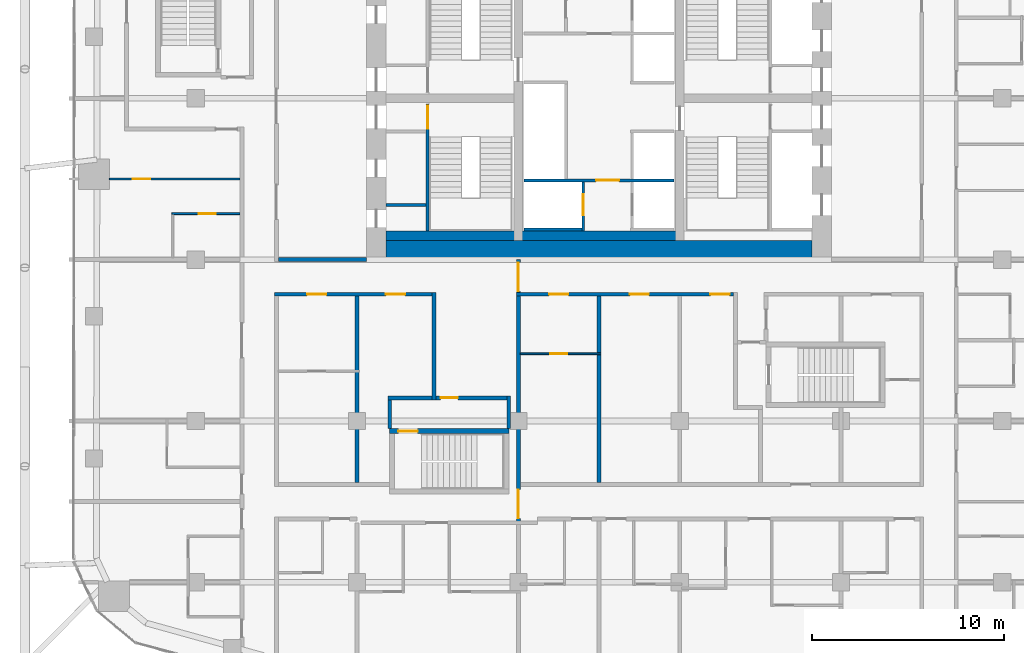
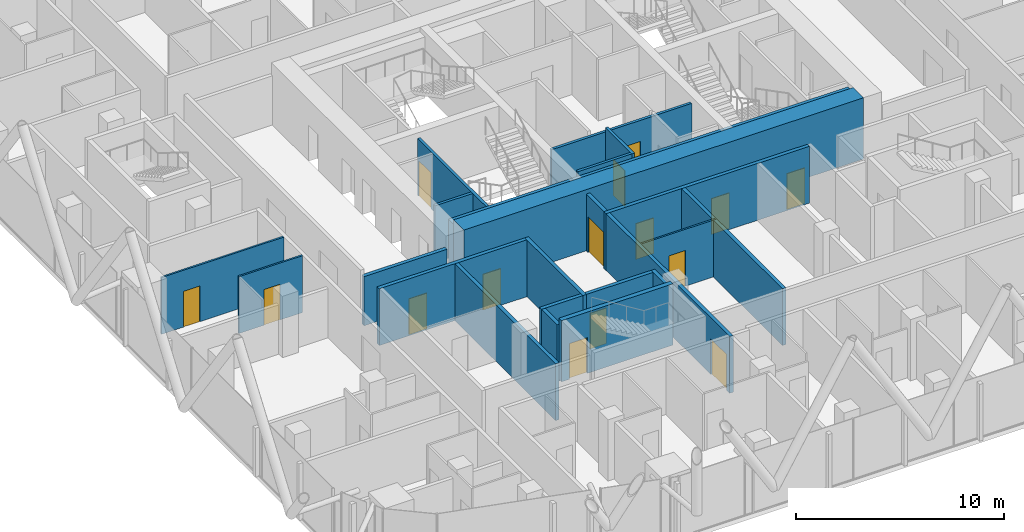
# One storey, part 28 of 36: 22 walls, 15 doors, 15 openings.
"""IFC4 building model written with IfcOpenShell, lengths in metres."""

from ifc_helpers import new_model, si_unit, direction, frame, frame_2d, origin, place, context, subcontext, project, spatial, rectangle, extrude, material, layer, layer_set, type_object, element, fill, save


model = new_model("IFC4")

# Units and contexts
model_context = context("Model", 3, precision=1e-05, world=origin(), true_north=direction((0.0, 1.0)))
body_context = subcontext(model_context, "Body", "Model", "MODEL_VIEW")
ifc_project = project(units=[si_unit("LENGTHUNIT", "METRE"), si_unit("AREAUNIT", "SQUARE_METRE"), si_unit("VOLUMEUNIT", "CUBIC_METRE"), si_unit("PLANEANGLEUNIT", "RADIAN"), si_unit("MASSUNIT", "GRAM", prefix="KILO")], contexts=[model_context])

# Site, building, storey
site_placement = place(None, origin())
site = spatial("IfcSite", under=ifc_project, at=site_placement, CompositionType="ELEMENT")
building_placement = place(site_placement, origin())
building = spatial("IfcBuilding", under=site, at=building_placement, Name="Marenta Gate Hotel Tower", CompositionType="ELEMENT")
storey_placement = place(building_placement, frame((0.0, 0.0, 130.10009765625)))
storey = spatial("IfcBuildingStorey", under=building, at=storey_placement, Name="L29", CompositionType="ELEMENT", Elevation=130.10009765625)

# Wall, openings, doors
ifc_material_1 = material(Name="Concrete blockwork", Category="masonry")
ifc_layer_1 = layer(ifc_material_1, 0.199951171875)
ifc_layer_set_1 = layer_set([ifc_layer_1], Name="Concrete blockwork")
wall_type_1 = type_object("IfcWallType", Name="Compartment wall 200 REI 180", PredefinedType="PARTITIONING", material=ifc_layer_set_1)
wall_1_placement = place(storey_placement, frame((-4.199951171875, -13.800048828125, 0.0), z_axis=(0.0, 0.0, 1.0), x_axis=(0.0, 1.0, 0.0)))
wall_1 = element("IfcWall", 1, at=wall_1_placement, inside=storey, type_object=wall_type_1, Name="L29-PTN-W081", PredefinedType="PARTITIONING", context=body_context, shape_type="SweptSolid", body=[
    extrude(rectangle(XDim=13.800048828125, YDim=0.199951171875, at=frame_2d((6.89990234375, 0.0))), origin(), (0.0, 0.0, 1.0), 3.33984375),
])
opening_1_placement = place(wall_1_placement, frame((12.14990234375, 0.0, 0.0)))
opening_1 = element("IfcOpeningElement", 2, at=opening_1_placement, cuts=wall_1, Name="Opening G10-FD2", PredefinedType="OPENING", context=body_context, shape_type="SweptSolid", body=[
    extrude(rectangle(XDim=1.5, YDim=2.10009765625, at=frame_2d((0.75, 1.050048828125))), frame((0.0, 0.10009765625, 0.0), z_axis=(0.0, -1.0, 0.0), x_axis=(1.0, 0.0, 0.0)), (0.0, 0.0, 1.0), 0.199951171875),
])
opening_2_placement = place(wall_1_placement, frame((0.324951171875, 0.0, 0.0)))
opening_2 = element("IfcOpeningElement", 3, at=opening_2_placement, cuts=wall_1, Name="Opening G10-FD3", PredefinedType="OPENING", context=body_context, shape_type="SweptSolid", body=[
    extrude(rectangle(XDim=1.5, YDim=2.10009765625, at=frame_2d((0.75, 1.050048828125))), frame((0.0, 0.10009765625, 0.0), z_axis=(0.0, -1.0, 0.0), x_axis=(1.0, 0.0, 0.0)), (0.0, 0.0, 1.0), 0.199951171875),
])
ifc_material_2 = material(Name="Hollow steel door set", Category="steel")
door_type_1 = type_object("IfcDoorType", Name="Compartment fire door 1500x2100 EI 60", OperationType="DOUBLE_DOOR_DOUBLE_SWING", PredefinedType="DOOR", material=ifc_material_2)
door_1_placement = place(opening_1_placement, origin())
door_1 = element("IfcDoor", 4, at=door_1_placement, inside=storey, type_object=door_type_1, Name="L29-PD-FD02", OperationType="DOUBLE_DOOR_DOUBLE_SWING", OverallHeight=2.10009765625, OverallWidth=1.5, PredefinedType="DOOR", context=body_context, shape_type="SweptSolid", body=[
    extrude(rectangle(XDim=1.5, YDim=2.10009765625, at=frame_2d((0.75, 1.050048828125))), frame((0.0, 0.02490234375, 0.0), z_axis=(0.0, -1.0, 0.0), x_axis=(1.0, 0.0, 0.0)), (0.0, 0.0, 1.0), 0.050048828125),
])
fill(opening_1, door_1)
door_2_placement = place(opening_2_placement, origin())
door_2 = element("IfcDoor", 5, at=door_2_placement, inside=storey, type_object=door_type_1, Name="L29-PD-FD03", OperationType="DOUBLE_DOOR_DOUBLE_SWING", OverallHeight=2.10009765625, OverallWidth=1.5, PredefinedType="DOOR", context=body_context, shape_type="SweptSolid", body=[
    extrude(rectangle(XDim=1.5, YDim=2.10009765625, at=frame_2d((0.75, 1.050048828125))), frame((0.0, 0.02490234375, 0.0), z_axis=(0.0, -1.0, 0.0), x_axis=(1.0, 0.0, 0.0)), (0.0, 0.0, 1.0), 0.050048828125),
])
fill(opening_2, door_2)

# Walls
ifc_material_3 = material(Name="Concrete blockwork", Category="masonry")
ifc_layer_2 = layer(ifc_material_3, 0.199951171875)
ifc_layer_set_2 = layer_set([ifc_layer_2], Name="Concrete blockwork")
wall_type_2 = type_object("IfcWallType", Name="Core boundary wall 200 REI 180", PredefinedType="PARTITIONING", material=ifc_layer_set_2)
wall_2_placement = place(storey_placement, frame((-16.699951171875, 0.0, 0.0), z_axis=(0.0, 0.0, 1.0), x_axis=(1.0, 0.0, 0.0)))
element("IfcWall", 6, at=wall_2_placement, inside=storey, type_object=wall_type_2, Name="L29-CP-EW-WS", PredefinedType="PARTITIONING", context=body_context, shape_type="SweptSolid", body=[
    extrude(rectangle(XDim=4.599853515625, YDim=0.199951171875, at=frame_2d((2.2998046875, 0.0))), origin(), (0.0, 0.0, 1.0), 2.889892578125),
])
ifc_material_4 = material(Name="Concrete C40", Category="concrete")
ifc_layer_3 = layer(ifc_material_4, 0.5)
ifc_layer_set_3 = layer_set([ifc_layer_3], Name="Concrete C40")
wall_type_3 = type_object("IfcWallType", Name="Core lining wall 500 REI 180", PredefinedType="PARTITIONING", material=ifc_layer_set_3)
wall_3_placement = place(storey_placement, frame((-11.10009765625, 1.25, 0.0), z_axis=(0.0, 0.0, 1.0), x_axis=(1.0, 0.0, 0.0)))
element("IfcWall", 7, at=wall_3_placement, inside=storey, type_object=wall_type_3, Name="L29-CP-LN-S", PredefinedType="PARTITIONING", context=body_context, shape_type="SweptSolid", body=[
    extrude(rectangle(XDim=22.2001953125, YDim=0.5, at=frame_2d((11.10009765625, 0.0))), origin(), (0.0, 0.0, 1.0), 3.33984375),
])

# Wall, opening, door
ifc_material_5 = material(Name="Concrete blockwork", Category="masonry")
ifc_layer_4 = layer(ifc_material_5, 0.14990234375)
ifc_layer_set_4 = layer_set([ifc_layer_4], Name="Concrete blockwork")
wall_type_4 = type_object("IfcWallType", Name="Core lobby partition 150 REI 180", PredefinedType="PARTITIONING", material=ifc_layer_set_4)
wall_4_placement = place(storey_placement, frame((-3.89990234375, 4.125, 0.0), z_axis=(0.0, 0.0, 1.0), x_axis=(1.0, 0.0, 0.0)))
wall_4 = element("IfcWall", 8, at=wall_4_placement, inside=storey, type_object=wall_type_4, Name="L29-CP-CW-S", PredefinedType="PARTITIONING", context=body_context, shape_type="SweptSolid", body=[
    extrude(rectangle(XDim=7.7998046875, YDim=0.14990234375, at=frame_2d((3.89990234375, 0.0))), origin(), (0.0, 0.0, 1.0), 3.33984375),
])
opening_3_placement = place(wall_4_placement, frame((3.75, 0.0, 0.0)))
opening_3 = element("IfcOpeningElement", 9, at=opening_3_placement, cuts=wall_4, Name="Opening FD-FFS", PredefinedType="OPENING", context=body_context, shape_type="SweptSolid", body=[
    extrude(rectangle(XDim=1.199951171875, YDim=2.10009765625, at=frame_2d((0.60009765625, 1.050048828125))), frame((0.0, 0.074951171875, 0.0), z_axis=(0.0, -1.0, 0.0), x_axis=(1.0, 0.0, 0.0)), (0.0, 0.0, 1.0), 0.14990234375),
])
ifc_material_6 = material(Name="Steel", Category="steel")
door_type_2 = type_object("IfcDoorType", Name="Core lobby door 1200x2100 FD60", OperationType="SINGLE_SWING_LEFT", PredefinedType="DOOR", material=ifc_material_6)
door_3_placement = place(opening_3_placement, origin())
door_3 = element("IfcDoor", 10, at=door_3_placement, inside=storey, type_object=door_type_2, Name="FD-FFS", OperationType="SINGLE_SWING_LEFT", OverallHeight=2.10009765625, OverallWidth=1.199951171875, PredefinedType="DOOR", context=body_context, shape_type="SweptSolid", body=[
    extrude(rectangle(XDim=1.199951171875, YDim=2.10009765625, at=frame_2d((0.60009765625, 1.050048828125))), frame((0.0, 0.02490234375, 0.0), z_axis=(0.0, -1.0, 0.0), x_axis=(1.0, 0.0, 0.0)), (0.0, 0.0, 1.0), 0.050048828125),
])
fill(opening_3, door_3)

# Wall
ifc_material_7 = material(Name="Concrete blockwork", Category="masonry")
ifc_layer_5 = layer(ifc_material_7, 0.14990234375)
ifc_layer_set_5 = layer_set([ifc_layer_5], Name="Concrete blockwork")
wall_type_5 = type_object("IfcWallType", Name="Core room partition 150 REI 180", PredefinedType="PARTITIONING", material=ifc_layer_set_5)
wall_5_placement = place(storey_placement, frame((-11.10009765625, 2.85009765625, 0.0), z_axis=(0.0, 0.0, 1.0), x_axis=(1.0, 0.0, 0.0)))
element("IfcWall", 11, at=wall_5_placement, inside=storey, type_object=wall_type_5, Name="L29-CP-RW-WS-1", PredefinedType="PARTITIONING", context=body_context, shape_type="SweptSolid", body=[
    extrude(rectangle(XDim=2.10009765625, YDim=0.14990234375, at=frame_2d((1.050048828125, 0.0))), origin(), (0.0, 0.0, 1.0), 3.33984375),
])

# Wall, opening, door
ifc_material_8 = material(Name="Concrete C40", Category="concrete")
ifc_layer_6 = layer(ifc_material_8, 0.14990234375)
ifc_layer_set_6 = layer_set([ifc_layer_6], Name="Concrete C40")
wall_type_6 = type_object("IfcWallType", Name="Core shaft wall 150 REI 180", PredefinedType="SHEAR", material=ifc_layer_set_6)
wall_6_placement = place(storey_placement, frame((-0.824951171875, 1.5, 0.0), z_axis=(0.0, 0.0, 1.0), x_axis=(0.0, 1.0, 0.0)))
wall_6 = element("IfcWall", 12, at=wall_6_placement, inside=storey, type_object=wall_type_6, Name="L29-SHF-CW-W-ff", PredefinedType="SHEAR", context=body_context, shape_type="SweptSolid", body=[
    extrude(rectangle(XDim=2.550048828125, YDim=0.14990234375, at=frame_2d((1.27490234375, 0.0))), origin(), (0.0, 0.0, 1.0), 3.599853515625),
])
opening_4_placement = place(wall_6_placement, frame((0.800048828125, 0.0, 0.0)))
opening_4 = element("IfcOpeningElement", 13, at=opening_4_placement, cuts=wall_6, Name="Opening LD-FF1", PredefinedType="OPENING", context=body_context, shape_type="SweptSolid", body=[
    extrude(rectangle(XDim=1.10009765625, YDim=2.10009765625, at=frame_2d((0.550048828125, 1.050048828125))), frame((0.0, 0.074951171875, 0.0), z_axis=(0.0, -1.0, 0.0), x_axis=(1.0, 0.0, 0.0)), (0.0, 0.0, 1.0), 0.14990234375),
])
ifc_material_9 = material(Name="Steel", Category="steel")
door_type_3 = type_object("IfcDoorType", Name="Core lift landing door 1100x2100 E 60", OperationType="SLIDING_TO_LEFT", PredefinedType="DOOR", material=ifc_material_9)
door_4_placement = place(opening_4_placement, origin())
door_4 = element("IfcDoor", 14, at=door_4_placement, inside=storey, type_object=door_type_3, Name="LD-FF1", OperationType="SLIDING_TO_LEFT", OverallHeight=2.10009765625, OverallWidth=1.10009765625, PredefinedType="DOOR", context=body_context, shape_type="SweptSolid", body=[
    extrude(rectangle(XDim=1.10009765625, YDim=2.10009765625, at=frame_2d((0.550048828125, 1.050048828125))), frame((0.0, 0.02490234375, 0.0), z_axis=(0.0, -1.0, 0.0), x_axis=(1.0, 0.0, 0.0)), (0.0, 0.0, 1.0), 0.050048828125),
])
fill(opening_4, door_4)

# Wall
wall_7_placement = place(storey_placement, frame((-3.89990234375, 1.574951171875, 0.0), z_axis=(0.0, 0.0, 1.0), x_axis=(1.0, 0.0, 0.0)))
element("IfcWall", 15, at=wall_7_placement, inside=storey, type_object=wall_type_6, Name="L29-SHF-CW-W-ffs", PredefinedType="SHEAR", context=body_context, shape_type="SweptSolid", body=[
    extrude(rectangle(XDim=3.0, YDim=0.14990234375, at=frame_2d((1.5, 0.0))), origin(), (0.0, 0.0, 1.0), 3.599853515625),
])

# Wall, opening, door
ifc_material_10 = material(Name="Concrete C40", Category="concrete")
ifc_layer_7 = layer(ifc_material_10, 0.14990234375)
ifc_layer_set_7 = layer_set([ifc_layer_7], Name="Concrete C40")
wall_type_7 = type_object("IfcWallType", Name="Core stair enclosure wall 150 REI 180", PredefinedType="SHEAR", material=ifc_layer_set_7)
wall_8_placement = place(storey_placement, frame((-8.925048828125, 1.5, 0.0), z_axis=(0.0, 0.0, 1.0), x_axis=(0.0, 1.0, 0.0)))
wall_8 = element("IfcWall", 16, at=wall_8_placement, inside=storey, type_object=wall_type_7, Name="L29-SHF-SW-WS-3", PredefinedType="SHEAR", context=body_context, shape_type="SweptSolid", body=[
    extrude(rectangle(XDim=6.60009765625, YDim=0.14990234375, at=frame_2d((3.300048828125, 0.0))), origin(), (0.0, 0.0, 1.0), 3.33984375),
])
opening_5_placement = place(wall_8_placement, frame((5.324951171875, 0.0, 0.0)))
opening_5 = element("IfcOpeningElement", 17, at=opening_5_placement, cuts=wall_8, Name="Opening SD-WS", PredefinedType="OPENING", context=body_context, shape_type="SweptSolid", body=[
    extrude(rectangle(XDim=1.199951171875, YDim=2.10009765625, at=frame_2d((0.60009765625, 1.050048828125))), frame((0.0, 0.074951171875, 0.0), z_axis=(0.0, -1.0, 0.0), x_axis=(1.0, 0.0, 0.0)), (0.0, 0.0, 1.0), 0.14990234375),
])
ifc_material_11 = material(Name="Steel", Category="steel")
door_type_4 = type_object("IfcDoorType", Name="Core stair door 1200x2100 FD60", OperationType="SINGLE_SWING_LEFT", PredefinedType="DOOR", material=ifc_material_11)
door_5_placement = place(opening_5_placement, origin())
door_5 = element("IfcDoor", 18, at=door_5_placement, inside=storey, type_object=door_type_4, Name="SD-WS", OperationType="SINGLE_SWING_LEFT", OverallHeight=2.10009765625, OverallWidth=1.199951171875, PredefinedType="DOOR", context=body_context, shape_type="SweptSolid", body=[
    extrude(rectangle(XDim=1.199951171875, YDim=2.10009765625, at=frame_2d((0.60009765625, 1.050048828125))), frame((0.0, 0.02490234375, 0.0), z_axis=(0.0, -1.0, 0.0), x_axis=(1.0, 0.0, 0.0)), (0.0, 0.0, 1.0), 0.050048828125),
])
fill(opening_5, door_5)

# Wall
ifc_material_12 = material(Name="Concrete C70", Category="concrete")
ifc_layer_8 = layer(ifc_material_12, 1.0)
ifc_layer_set_8 = layer_set([ifc_layer_8], Name="Concrete C70")
wall_type_8 = type_object("IfcWallType", Name="Core wall 1000 C70", PredefinedType="SHEAR", material=ifc_layer_set_8)
wall_9_placement = place(storey_placement, frame((-11.10009765625, 0.5, 0.0), z_axis=(0.0, 0.0, 1.0), x_axis=(1.0, 0.0, 0.0)))
element("IfcWall", 19, at=wall_9_placement, inside=storey, type_object=wall_type_8, Name="L29-CORE-S", PredefinedType="SHEAR", context=body_context, shape_type="SweptSolid", body=[
    extrude(rectangle(XDim=22.2001953125, YDim=1.0, at=frame_2d((11.10009765625, 0.0))), origin(), (0.0, 0.0, 1.0), 3.599853515625),
])

# Wall, opening, door
ifc_material_13 = material(Name="Concrete C40", Category="concrete")
ifc_layer_9 = layer(ifc_material_13, 0.25)
ifc_layer_set_9 = layer_set([ifc_layer_9], Name="Concrete C40")
wall_type_9 = type_object("IfcWallType", Name="Remote stair enclosure wall 250 REI 180", PredefinedType="SHEAR", material=ifc_layer_set_9)
wall_10_placement = place(storey_placement, frame((-10.89990234375, -8.925048828125, 0.099853515625), z_axis=(0.0, 0.0, 1.0), x_axis=(1.0, 0.0, 0.0)))
wall_10 = element("IfcWall", 20, at=wall_10_placement, inside=storey, type_object=wall_type_9, Name="L29-RS-Z2-1-W2", PredefinedType="SHEAR", context=body_context, shape_type="SweptSolid", body=[
    extrude(rectangle(XDim=6.199951171875, YDim=0.25, at=frame_2d((3.10009765625, 0.0))), origin(), (0.0, 0.0, 1.0), 3.60009765625),
])
opening_6_placement = place(wall_10_placement, frame((0.449951171875, 0.0, 0.0)))
opening_6 = element("IfcOpeningElement", 21, at=opening_6_placement, cuts=wall_10, Name="Opening VD", PredefinedType="OPENING", context=body_context, shape_type="SweptSolid", body=[
    extrude(rectangle(XDim=1.0, YDim=2.10009765625, at=frame_2d((0.5, 1.050048828125))), frame((0.0, 0.125, 0.0), z_axis=(0.0, -1.0, 0.0), x_axis=(1.0, 0.0, 0.0)), (0.0, 0.0, 1.0), 0.25),
])
ifc_material_14 = material(Name="Steel", Category="steel")
door_type_5 = type_object("IfcDoorType", Name="Stair vestibule door 1000x2100 FD60", OperationType="SINGLE_SWING_LEFT", PredefinedType="DOOR", material=ifc_material_14)
door_6_placement = place(opening_6_placement, origin())
door_6 = element("IfcDoor", 22, at=door_6_placement, inside=storey, type_object=door_type_5, Name="VD", OperationType="SINGLE_SWING_LEFT", OverallHeight=2.10009765625, OverallWidth=1.0, PredefinedType="DOOR", context=body_context, shape_type="SweptSolid", body=[
    extrude(rectangle(XDim=1.0, YDim=2.10009765625, at=frame_2d((0.5, 1.050048828125))), frame((0.0, 0.02490234375, 0.0), z_axis=(0.0, -1.0, 0.0), x_axis=(1.0, 0.0, 0.0)), (0.0, 0.0, 1.0), 0.050048828125),
])
fill(opening_6, door_6)

# Wall, openings, doors
ifc_material_15 = material(Name="Concrete blockwork", Category="masonry")
ifc_layer_10 = layer(ifc_material_15, 0.199951171875)
ifc_layer_set_10 = layer_set([ifc_layer_10], Name="Concrete blockwork")
wall_type_10 = type_object("IfcWallType", Name="Room corridor wall 200 EI 120", PredefinedType="PARTITIONING", material=ifc_layer_set_10)
wall_11_placement = place(storey_placement, frame((-4.300048828125, -1.800048828125, 0.0), z_axis=(0.0, 0.0, 1.0), x_axis=(1.0, 0.0, 0.0)))
wall_11 = element("IfcWall", 23, at=wall_11_placement, inside=storey, type_object=wall_type_10, Name="L29-PTN-W068", PredefinedType="PARTITIONING", context=body_context, shape_type="SweptSolid", body=[
    extrude(rectangle(XDim=11.300048828125, YDim=0.199951171875, at=frame_2d((5.64990234375, 0.0))), origin(), (0.0, 0.0, 1.0), 3.33984375),
])
opening_7_placement = place(wall_11_placement, frame((1.699951171875, 0.0, 0.0)))
opening_7 = element("IfcOpeningElement", 24, at=opening_7_placement, cuts=wall_11, Name="Opening G10-04", PredefinedType="OPENING", context=body_context, shape_type="SweptSolid", body=[
    extrude(rectangle(XDim=1.0, YDim=2.10009765625, at=frame_2d((0.5, 1.050048828125))), frame((0.0, 0.10009765625, 0.0), z_axis=(0.0, -1.0, 0.0), x_axis=(1.0, 0.0, 0.0)), (0.0, 0.0, 1.0), 0.199951171875),
])
opening_8_placement = place(wall_11_placement, frame((5.89990234375, 0.0, 0.0)))
opening_8 = element("IfcOpeningElement", 25, at=opening_8_placement, cuts=wall_11, Name="Opening G10-06", PredefinedType="OPENING", context=body_context, shape_type="SweptSolid", body=[
    extrude(rectangle(XDim=1.0, YDim=2.10009765625, at=frame_2d((0.5, 1.050048828125))), frame((0.0, 0.10009765625, 0.0), z_axis=(0.0, -1.0, 0.0), x_axis=(1.0, 0.0, 0.0)), (0.0, 0.0, 1.0), 0.199951171875),
])
opening_9_placement = place(wall_11_placement, frame((10.10009765625, 0.0, 0.0)))
opening_9 = element("IfcOpeningElement", 26, at=opening_9_placement, cuts=wall_11, Name="Opening G10-07", PredefinedType="OPENING", context=body_context, shape_type="SweptSolid", body=[
    extrude(rectangle(XDim=1.0, YDim=2.10009765625, at=frame_2d((0.5, 1.050048828125))), frame((0.0, 0.10009765625, 0.0), z_axis=(0.0, -1.0, 0.0), x_axis=(1.0, 0.0, 0.0)), (0.0, 0.0, 1.0), 0.199951171875),
])
ifc_material_16 = material(Name="Timber door leaf", Category="wood")
door_type_6 = type_object("IfcDoorType", Name="Room amenity door 1000x2100 EI 60", OperationType="NOTDEFINED", PredefinedType="DOOR", material=ifc_material_16)
door_7_placement = place(opening_8_placement, origin())
door_7 = element("IfcDoor", 27, at=door_7_placement, inside=storey, type_object=door_type_6, Name="L29-PD-D006", OperationType="SINGLE_SWING_RIGHT", OverallHeight=2.10009765625, OverallWidth=1.0, PredefinedType="DOOR", context=body_context, shape_type="SweptSolid", body=[
    extrude(rectangle(XDim=1.0, YDim=2.10009765625, at=frame_2d((0.5, 1.050048828125))), frame((0.0, 0.02490234375, 0.0), z_axis=(0.0, -1.0, 0.0), x_axis=(1.0, 0.0, 0.0)), (0.0, 0.0, 1.0), 0.050048828125),
])
fill(opening_8, door_7)
door_8_placement = place(opening_9_placement, origin())
door_8 = element("IfcDoor", 28, at=door_8_placement, inside=storey, type_object=door_type_6, Name="L29-PD-D007", OperationType="SINGLE_SWING_LEFT", OverallHeight=2.10009765625, OverallWidth=1.0, PredefinedType="DOOR", context=body_context, shape_type="SweptSolid", body=[
    extrude(rectangle(XDim=1.0, YDim=2.10009765625, at=frame_2d((0.5, 1.050048828125))), frame((0.0, 0.02490234375, 0.0), z_axis=(0.0, -1.0, 0.0), x_axis=(1.0, 0.0, 0.0)), (0.0, 0.0, 1.0), 0.050048828125),
])
fill(opening_9, door_8)
ifc_material_17 = material(Name="Hollow steel door set", Category="steel")
door_type_7 = type_object("IfcDoorType", Name="Room service door 1000x2100 EI 60", OperationType="NOTDEFINED", PredefinedType="DOOR", material=ifc_material_17)
door_9_placement = place(opening_7_placement, origin())
door_9 = element("IfcDoor", 29, at=door_9_placement, inside=storey, type_object=door_type_7, Name="L29-PD-D004", OperationType="SINGLE_SWING_RIGHT", OverallHeight=2.10009765625, OverallWidth=1.0, PredefinedType="DOOR", context=body_context, shape_type="SweptSolid", body=[
    extrude(rectangle(XDim=1.0, YDim=2.10009765625, at=frame_2d((0.5, 1.050048828125))), frame((0.0, 0.02490234375, 0.0), z_axis=(0.0, -1.0, 0.0), x_axis=(1.0, 0.0, 0.0)), (0.0, 0.0, 1.0), 0.050048828125),
])
fill(opening_7, door_9)

ifc_material_18 = material(Name="Gypsum board on steel stud", Category="steel")
ifc_layer_11 = layer(ifc_material_18, 0.199951171875)
ifc_layer_set_11 = layer_set([ifc_layer_11], Name="Gypsum board on steel stud")
wall_type_11 = type_object("IfcWallType", Name="Room corridor wall 200 EI 60", PredefinedType="PARTITIONING", material=ifc_layer_set_11)
wall_12_placement = place(storey_placement, frame((-16.89990234375, -1.800048828125, 0.0), z_axis=(0.0, 0.0, 1.0), x_axis=(1.0, 0.0, 0.0)))
wall_12 = element("IfcWall", 30, at=wall_12_placement, inside=storey, type_object=wall_type_11, Name="L29-PTN-W067", PredefinedType="PARTITIONING", context=body_context, shape_type="SweptSolid", body=[
    extrude(rectangle(XDim=8.199951171875, YDim=0.199951171875, at=frame_2d((4.10009765625, 0.0))), origin(), (0.0, 0.0, 1.0), 3.33984375),
])
opening_10_placement = place(wall_12_placement, frame((1.699951171875, 0.0, 0.0)))
opening_10 = element("IfcOpeningElement", 31, at=opening_10_placement, cuts=wall_12, Name="Opening G10-01", PredefinedType="OPENING", context=body_context, shape_type="SweptSolid", body=[
    extrude(rectangle(XDim=1.0, YDim=2.10009765625, at=frame_2d((0.5, 1.050048828125))), frame((0.0, 0.10009765625, 0.0), z_axis=(0.0, -1.0, 0.0), x_axis=(1.0, 0.0, 0.0)), (0.0, 0.0, 1.0), 0.199951171875),
])
opening_11_placement = place(wall_12_placement, frame((5.800048828125, 0.0, 0.0)))
opening_11 = element("IfcOpeningElement", 32, at=opening_11_placement, cuts=wall_12, Name="Opening G10-03", PredefinedType="OPENING", context=body_context, shape_type="SweptSolid", body=[
    extrude(rectangle(XDim=1.0, YDim=2.10009765625, at=frame_2d((0.5, 1.050048828125))), frame((0.0, 0.10009765625, 0.0), z_axis=(0.0, -1.0, 0.0), x_axis=(1.0, 0.0, 0.0)), (0.0, 0.0, 1.0), 0.199951171875),
])
ifc_material_19 = material(Name="Timber door leaf", Category="wood")
door_type_8 = type_object("IfcDoorType", Name="Room amenity door 1000x2100 EI 30", OperationType="NOTDEFINED", PredefinedType="DOOR", material=ifc_material_19)
door_10_placement = place(opening_11_placement, origin())
door_10 = element("IfcDoor", 33, at=door_10_placement, inside=storey, type_object=door_type_8, Name="L29-PD-D003", OperationType="SINGLE_SWING_LEFT", OverallHeight=2.10009765625, OverallWidth=1.0, PredefinedType="DOOR", context=body_context, shape_type="SweptSolid", body=[
    extrude(rectangle(XDim=1.0, YDim=2.10009765625, at=frame_2d((0.5, 1.050048828125))), frame((0.0, 0.02490234375, 0.0), z_axis=(0.0, -1.0, 0.0), x_axis=(1.0, 0.0, 0.0)), (0.0, 0.0, 1.0), 0.050048828125),
])
fill(opening_11, door_10)
ifc_material_20 = material(Name="Hollow steel door set", Category="steel")
door_type_9 = type_object("IfcDoorType", Name="Room service door 1000x2100 EI 30", OperationType="NOTDEFINED", PredefinedType="DOOR", material=ifc_material_20)
door_11_placement = place(opening_10_placement, origin())
door_11 = element("IfcDoor", 34, at=door_11_placement, inside=storey, type_object=door_type_9, Name="L29-PD-D001", OperationType="SINGLE_SWING_LEFT", OverallHeight=2.10009765625, OverallWidth=1.0, PredefinedType="DOOR", context=body_context, shape_type="SweptSolid", body=[
    extrude(rectangle(XDim=1.0, YDim=2.10009765625, at=frame_2d((0.5, 1.050048828125))), frame((0.0, 0.02490234375, 0.0), z_axis=(0.0, -1.0, 0.0), x_axis=(1.0, 0.0, 0.0)), (0.0, 0.0, 1.0), 0.050048828125),
])
fill(opening_10, door_11)

# Wall
wall_13_placement = place(storey_placement, frame((-8.60009765625, -7.300048828125, 0.0), z_axis=(0.0, 0.0, 1.0), x_axis=(0.0, 1.0, 0.0)))
element("IfcWall", 35, at=wall_13_placement, inside=storey, type_object=wall_type_11, Name="L29-PTN-W090", PredefinedType="PARTITIONING", context=body_context, shape_type="SweptSolid", body=[
    extrude(rectangle(XDim=5.60009765625, YDim=0.199951171875, at=frame_2d((2.800048828125, 0.0))), origin(), (0.0, 0.0, 1.0), 3.33984375),
])

# Wall, opening, door
ifc_material_21 = material(Name="Concrete blockwork", Category="masonry")
ifc_layer_12 = layer(ifc_material_21, 0.199951171875)
ifc_layer_set_12 = layer_set([ifc_layer_12], Name="Concrete blockwork")
wall_type_12 = type_object("IfcWallType", Name="Room corridor wall 200 REI 180", PredefinedType="PARTITIONING", material=ifc_layer_set_12)
wall_14_placement = place(storey_placement, frame((-8.5, -7.199951171875, 0.0), z_axis=(0.0, 0.0, 1.0), x_axis=(1.0, 0.0, 0.0)))
wall_14 = element("IfcWall", 36, at=wall_14_placement, inside=storey, type_object=wall_type_12, Name="L29-PTN-W052", PredefinedType="PARTITIONING", context=body_context, shape_type="SweptSolid", body=[
    extrude(rectangle(XDim=3.699951171875, YDim=0.199951171875, at=frame_2d((1.85009765625, 0.0))), origin(), (0.0, 0.0, 1.0), 3.33984375),
])
opening_12_placement = place(wall_14_placement, frame((0.25, 0.0, 0.0)))
opening_12 = element("IfcOpeningElement", 37, at=opening_12_placement, cuts=wall_14, Name="Opening G10-70", PredefinedType="OPENING", context=body_context, shape_type="SweptSolid", body=[
    extrude(rectangle(XDim=0.89990234375, YDim=2.10009765625, at=frame_2d((0.449951171875, 1.050048828125))), frame((0.0, 0.10009765625, 0.0), z_axis=(0.0, -1.0, 0.0), x_axis=(1.0, 0.0, 0.0)), (0.0, 0.0, 1.0), 0.199951171875),
])
ifc_material_22 = material(Name="Hollow steel door set", Category="steel")
door_type_10 = type_object("IfcDoorType", Name="Stair vestibule door 900x2100 EI 60", OperationType="NOTDEFINED", PredefinedType="DOOR", material=ifc_material_22)
door_12_placement = place(opening_12_placement, origin())
door_12 = element("IfcDoor", 38, at=door_12_placement, inside=storey, type_object=door_type_10, Name="L29-PD-D070", OperationType="SINGLE_SWING_RIGHT", OverallHeight=2.10009765625, OverallWidth=0.89990234375, PredefinedType="DOOR", context=body_context, shape_type="SweptSolid", body=[
    extrude(rectangle(XDim=0.89990234375, YDim=2.10009765625, at=frame_2d((0.449951171875, 1.050048828125))), frame((0.0, 0.02490234375, 0.0), z_axis=(0.0, -1.0, 0.0), x_axis=(1.0, 0.0, 0.0)), (0.0, 0.0, 1.0), 0.050048828125),
])
fill(opening_12, door_12)

# Wall
wall_15_placement = place(storey_placement, frame((-4.699951171875, -8.800048828125, 0.0), z_axis=(0.0, 0.0, 1.0), x_axis=(0.0, 1.0, 0.0)))
element("IfcWall", 39, at=wall_15_placement, inside=storey, type_object=wall_type_12, Name="L29-PTN-W083", PredefinedType="PARTITIONING", context=body_context, shape_type="SweptSolid", body=[
    extrude(rectangle(XDim=1.699951171875, YDim=0.199951171875, at=frame_2d((0.85009765625, 0.0))), origin(), (0.0, 0.0, 1.0), 3.33984375),
])

# Wall, opening, door
ifc_material_23 = material(Name="Gypsum board on steel stud", Category="steel")
ifc_layer_13 = layer(ifc_material_23, 0.10009765625)
ifc_layer_set_13 = layer_set([ifc_layer_13], Name="Gypsum board on steel stud")
wall_type_13 = type_object("IfcWallType", Name="Room partition 100", PredefinedType="PARTITIONING", material=ifc_layer_set_13)
wall_16_placement = place(storey_placement, frame((-4.10009765625, -4.89990234375, 0.0), z_axis=(0.0, 0.0, 1.0), x_axis=(1.0, 0.0, 0.0)))
wall_16 = element("IfcWall", 40, at=wall_16_placement, inside=storey, type_object=wall_type_13, Name="L29-PTN-W059", PredefinedType="PARTITIONING", context=body_context, shape_type="SweptSolid", body=[
    extrude(rectangle(XDim=4.2001953125, YDim=0.10009765625, at=frame_2d((2.10009765625, 0.0))), origin(), (0.0, 0.0, 1.0), 3.33984375),
])
opening_13_placement = place(wall_16_placement, frame((1.550048828125, 0.0, 0.0)))
opening_13 = element("IfcOpeningElement", 41, at=opening_13_placement, cuts=wall_16, Name="Opening G10-05", PredefinedType="OPENING", context=body_context, shape_type="SweptSolid", body=[
    extrude(rectangle(XDim=0.89990234375, YDim=2.10009765625, at=frame_2d((0.449951171875, 1.050048828125))), frame((0.0, 0.050048828125, 0.0), z_axis=(0.0, -1.0, 0.0), x_axis=(1.0, 0.0, 0.0)), (0.0, 0.0, 1.0), 0.10009765625),
])
ifc_material_24 = material(Name="Timber door leaf", Category="wood")
door_type_11 = type_object("IfcDoorType", Name="Room inner door 900x2100", OperationType="NOTDEFINED", PredefinedType="DOOR", material=ifc_material_24)
door_13_placement = place(opening_13_placement, origin())
door_13 = element("IfcDoor", 42, at=door_13_placement, inside=storey, type_object=door_type_11, Name="L29-PD-D005", OperationType="SINGLE_SWING_LEFT", OverallHeight=2.10009765625, OverallWidth=0.89990234375, PredefinedType="DOOR", context=body_context, shape_type="SweptSolid", body=[
    extrude(rectangle(XDim=0.89990234375, YDim=2.10009765625, at=frame_2d((0.449951171875, 1.050048828125))), frame((0.0, 0.02490234375, 0.0), z_axis=(0.0, -1.0, 0.0), x_axis=(1.0, 0.0, 0.0)), (0.0, 0.0, 1.0), 0.050048828125),
])
fill(opening_13, door_13)

wall_17_placement = place(storey_placement, frame((-22.25, 2.39990234375, 0.0), z_axis=(0.0, 0.0, 1.0), x_axis=(1.0, 0.0, 0.0)))
wall_17 = element("IfcWall", 43, at=wall_17_placement, inside=storey, type_object=wall_type_13, Name="L29-PTN-W077", PredefinedType="PARTITIONING", context=body_context, shape_type="SweptSolid", body=[
    extrude(rectangle(XDim=3.550048828125, YDim=0.10009765625, at=frame_2d((1.77490234375, 0.0))), origin(), (0.0, 0.0, 1.0), 3.33984375),
])
opening_14_placement = place(wall_17_placement, frame((1.39990234375, 0.0, 0.0)))
opening_14 = element("IfcOpeningElement", 44, at=opening_14_placement, cuts=wall_17, Name="Opening G10-63", PredefinedType="OPENING", context=body_context, shape_type="SweptSolid", body=[
    extrude(rectangle(XDim=0.89990234375, YDim=2.10009765625, at=frame_2d((0.449951171875, 1.050048828125))), frame((0.0, 0.050048828125, 0.0), z_axis=(0.0, -1.0, 0.0), x_axis=(1.0, 0.0, 0.0)), (0.0, 0.0, 1.0), 0.10009765625),
])
ifc_material_25 = material(Name="Timber door leaf", Category="wood")
door_type_12 = type_object("IfcDoorType", Name="Guest bathroom door 900x2100", OperationType="NOTDEFINED", PredefinedType="DOOR", material=ifc_material_25)
door_14_placement = place(opening_14_placement, origin())
door_14 = element("IfcDoor", 45, at=door_14_placement, inside=storey, type_object=door_type_12, Name="L29-PD-D063", OperationType="SINGLE_SWING_LEFT", OverallHeight=2.10009765625, OverallWidth=0.89990234375, PredefinedType="DOOR", context=body_context, shape_type="SweptSolid", body=[
    extrude(rectangle(XDim=0.89990234375, YDim=2.10009765625, at=frame_2d((0.449951171875, 1.050048828125))), frame((0.0, 0.02490234375, 0.0), z_axis=(0.0, -1.0, 0.0), x_axis=(1.0, 0.0, 0.0)), (0.0, 0.0, 1.0), 0.050048828125),
])
fill(opening_14, door_14)

wall_18_placement = place(storey_placement, frame((-25.5, 4.199951171875, 0.0), z_axis=(0.0, 0.0, 1.0), x_axis=(1.0, 0.0, 0.0)))
wall_18 = element("IfcWall", 46, at=wall_18_placement, inside=storey, type_object=wall_type_13, Name="L29-PTN-W135", PredefinedType="PARTITIONING", context=body_context, shape_type="SweptSolid", body=[
    extrude(rectangle(XDim=6.800048828125, YDim=0.10009765625, at=frame_2d((3.39990234375, 0.0))), origin(), (0.0, 0.0, 1.0), 3.33984375),
])
opening_15_placement = place(wall_18_placement, frame((1.22998046875, 0.0, 0.0)))
opening_15 = element("IfcOpeningElement", 47, at=opening_15_placement, cuts=wall_18, Name="Opening G10-62", PredefinedType="OPENING", context=body_context, shape_type="SweptSolid", body=[
    extrude(rectangle(XDim=0.89990234375, YDim=2.10009765625, at=frame_2d((0.449951171875, 1.050048828125))), frame((0.0, 0.050048828125, 0.0), z_axis=(0.0, -1.0, 0.0), x_axis=(1.0, 0.0, 0.0)), (0.0, 0.0, 1.0), 0.10009765625),
])
door_15_placement = place(opening_15_placement, origin())
door_15 = element("IfcDoor", 48, at=door_15_placement, inside=storey, type_object=door_type_11, Name="L29-PD-D062", OperationType="SINGLE_SWING_RIGHT", OverallHeight=2.10009765625, OverallWidth=0.89990234375, PredefinedType="DOOR", context=body_context, shape_type="SweptSolid", body=[
    extrude(rectangle(XDim=0.89990234375, YDim=2.10009765625, at=frame_2d((0.449951171875, 1.050048828125))), frame((0.0, 0.02490234375, 0.0), z_axis=(0.0, -1.0, 0.0), x_axis=(1.0, 0.0, 0.0)), (0.0, 0.0, 1.0), 0.050048828125),
])
fill(opening_15, door_15)

# Walls
ifc_material_26 = material(Name="Concrete blockwork", Category="masonry")
ifc_layer_14 = layer(ifc_material_26, 0.199951171875)
ifc_layer_set_14 = layer_set([ifc_layer_14], Name="Concrete blockwork")
wall_type_14 = type_object("IfcWallType", Name="Room party wall 200 EI 120", PredefinedType="PARTITIONING", material=ifc_layer_set_14)
wall_19_placement = place(storey_placement, frame((0.0, -11.60009765625, 0.0), z_axis=(0.0, 0.0, 1.0), x_axis=(0.0, 1.0, 0.0)))
element("IfcWall", 49, at=wall_19_placement, inside=storey, type_object=wall_type_14, Name="L29-PTN-W073", PredefinedType="PARTITIONING", context=body_context, shape_type="SweptSolid", body=[
    extrude(rectangle(XDim=9.7001953125, YDim=0.199951171875, at=frame_2d((4.85009765625, 0.0))), origin(), (0.0, 0.0, 1.0), 3.33984375),
])
ifc_material_27 = material(Name="Gypsum board on steel stud", Category="steel")
ifc_layer_15 = layer(ifc_material_27, 0.199951171875)
ifc_layer_set_15 = layer_set([ifc_layer_15], Name="Gypsum board on steel stud")
wall_type_15 = type_object("IfcWallType", Name="Room party wall 200 EI 60", PredefinedType="PARTITIONING", material=ifc_layer_set_15)
wall_20_placement = place(storey_placement, frame((-12.60009765625, -11.60009765625, 0.0), z_axis=(0.0, 0.0, 1.0), x_axis=(0.0, 1.0, 0.0)))
element("IfcWall", 50, at=wall_20_placement, inside=storey, type_object=wall_type_15, Name="L29-PTN-W097", PredefinedType="PARTITIONING", context=body_context, shape_type="SweptSolid", body=[
    extrude(rectangle(XDim=9.7001953125, YDim=0.199951171875, at=frame_2d((4.85009765625, 0.0))), origin(), (0.0, 0.0, 1.0), 3.33984375),
])
ifc_material_28 = material(Name="Concrete blockwork", Category="masonry")
ifc_layer_16 = layer(ifc_material_28, 0.199951171875)
ifc_layer_set_16 = layer_set([ifc_layer_16], Name="Concrete blockwork")
wall_type_16 = type_object("IfcWallType", Name="Room party wall 200 REI 180", PredefinedType="PARTITIONING", material=ifc_layer_set_16)
wall_21_placement = place(storey_placement, frame((-11.0, -7.199951171875, 0.0), z_axis=(0.0, 0.0, 1.0), x_axis=(1.0, 0.0, 0.0)))
element("IfcWall", 51, at=wall_21_placement, inside=storey, type_object=wall_type_16, Name="L29-PTN-W051", PredefinedType="PARTITIONING", context=body_context, shape_type="SweptSolid", body=[
    extrude(rectangle(XDim=2.300048828125, YDim=0.199951171875, at=frame_2d((1.14990234375, 0.0))), origin(), (0.0, 0.0, 1.0), 3.33984375),
])
wall_22_placement = place(storey_placement, frame((-10.89990234375, -8.800048828125, 0.0), z_axis=(0.0, 0.0, 1.0), x_axis=(0.0, 1.0, 0.0)))
element("IfcWall", 52, at=wall_22_placement, inside=storey, type_object=wall_type_16, Name="L29-PTN-W095", PredefinedType="PARTITIONING", context=body_context, shape_type="SweptSolid", body=[
    extrude(rectangle(XDim=1.5, YDim=0.199951171875, at=frame_2d((0.75, 0.0))), origin(), (0.0, 0.0, 1.0), 3.33984375),
])

save(model, "model.ifc")
